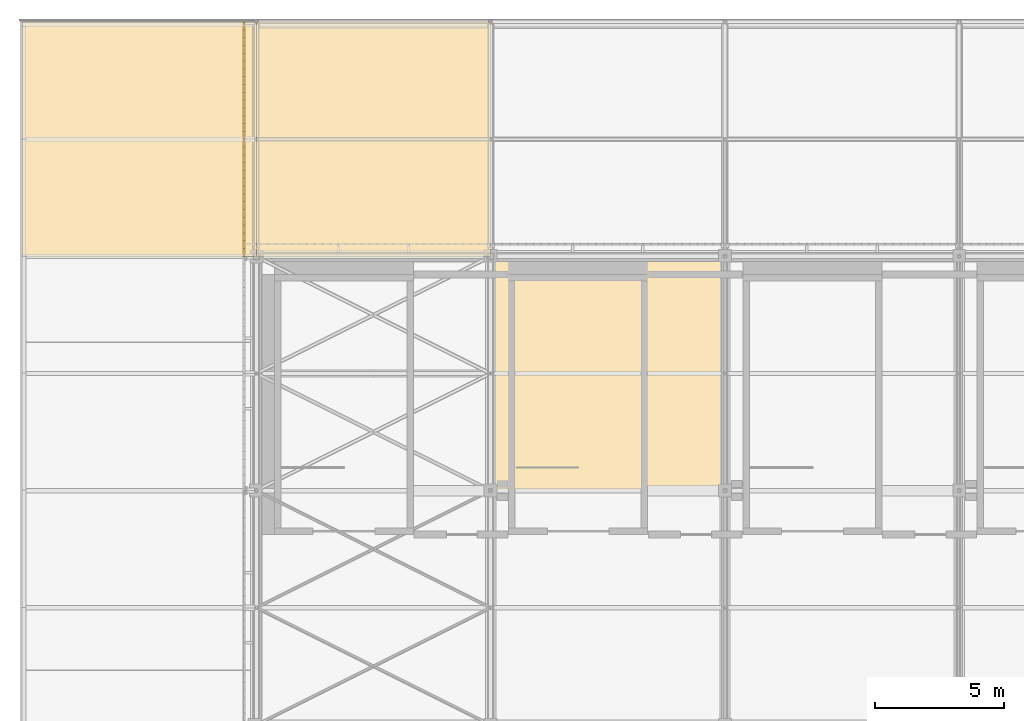
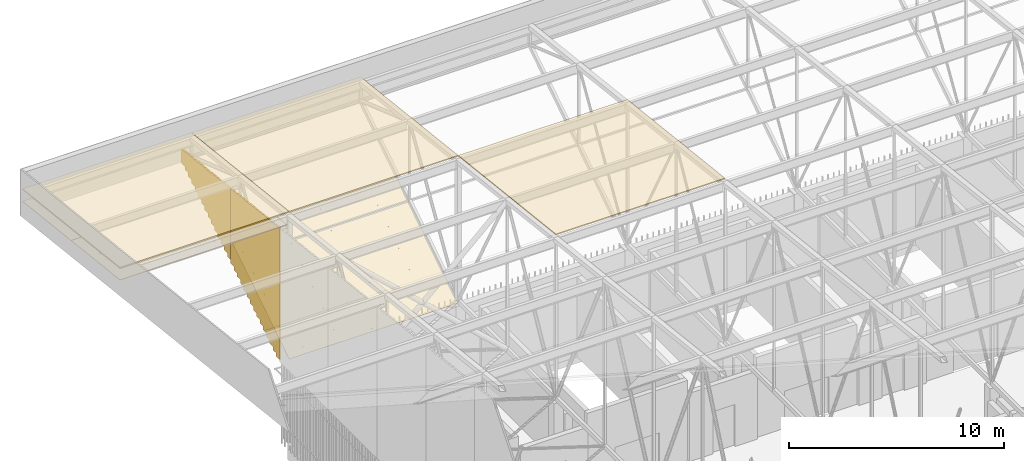
# One storey, part 475 of 500: 6 coverings, 2 shading devices.
"""IFC4 building model written with IfcOpenShell, lengths in metres."""

from ifc_helpers import new_model, si_unit, direction, frame, origin, origin_2d, place, context, subcontext, project, spatial, polyline, rectangle, outline, extrude, material, layer, layer_set, type_object, element, save


model = new_model("IFC4")

# Units and contexts
model_context = context("Model", 3, precision=1e-05, world=origin(), true_north=direction((0.0, 1.0)))
body_context = subcontext(model_context, "Body", "Model", "MODEL_VIEW")
ifc_project = project(units=[si_unit("LENGTHUNIT", "METRE"), si_unit("AREAUNIT", "SQUARE_METRE"), si_unit("VOLUMEUNIT", "CUBIC_METRE"), si_unit("PLANEANGLEUNIT", "RADIAN"), si_unit("MASSUNIT", "GRAM", prefix="KILO")], contexts=[model_context])

# Site, building, storey
site_placement = place(None, origin())
site = spatial("IfcSite", under=ifc_project, at=site_placement, CompositionType="ELEMENT")
building_placement = place(site_placement, origin())
building = spatial("IfcBuilding", under=site, at=building_placement, Name="Shirokan Park Arena", CompositionType="ELEMENT")
storey_placement = place(building_placement, frame((0.0, 0.0, 29.1201171875)))
storey = spatial("IfcBuildingStorey", under=building, at=storey_placement, Name="L06", CompositionType="ELEMENT", Elevation=29.1201171875)

# Coverings
ifc_material_1 = material(Name="Bituminous roofing membrane")
ifc_layer_1 = layer(ifc_material_1, 0.010009765625, Name="Bituminous roofing membrane")
ifc_material_2 = material(Name="Mineral wool insulation")
ifc_layer_2 = layer(ifc_material_2, 0.050048828125, Name="Mineral wool insulation")
ifc_layer_set_1 = layer_set([ifc_layer_1, ifc_layer_2], Name="Bituminous roofing membrane + Mineral wool insulation")
covering_type_1 = type_object("IfcCoveringType", Name="Roofing membrane 60", PredefinedType="ROOFING", material=ifc_layer_set_1)
for number, where, z_axis, x_axis, name in (
    (1, (-9.10009765625, 109.199951171875, 12.9306640625), (0.0, 0.113549598152, 0.993532328996), (1.0, 0.0, 0.0), "Roofing"),
    (2, (0.0, 109.199951171875, 12.9306640625), (0.0, 0.113549598152, 0.993532328996), (1.0, 0.0, 0.0), "Roofing"),
):
    element("IfcCovering", number, at=place(storey_placement, frame(where, z_axis=z_axis, x_axis=x_axis)), inside=storey, type_object=covering_type_1, Name=name, PredefinedType="ROOFING", context=body_context, shape_type="SweptSolid", body=[
        extrude(outline(polyline([(0.0, 0.0), (9.10009765625, 0.0), (9.10009765625, 9.15933723611117), (0.0, 9.15933723611117), (0.0, 0.0)])), origin(), (0.0, 0.0, -1.0), 0.06005859375),
    ])
covering_1_placement = place(storey_placement, frame((9.10009765625, 100.10009765625, 13.970703125), z_axis=(0.0, 0.113552605302, 0.993531985308), x_axis=(1.0, 0.0, 0.0)))
element("IfcCovering", 3, at=covering_1_placement, inside=storey, type_object=covering_type_1, Name="Roofing", PredefinedType="ROOFING", context=body_context, shape_type="SweptSolid", body=[
    extrude(outline(polyline([(0.0, 0.0), (9.099853515625, 0.0), (9.099853515625, 9.159094674549365), (0.0, 9.159094674549365), (0.0, 0.0)])), origin(), (0.0, 0.0, -1.0), 0.06005859375),
])
ifc_material_3 = material(Name="Timber soffit boards (cedar)", Category="wood")
ifc_layer_3 = layer(ifc_material_3, 0.030029296875)
ifc_layer_set_2 = layer_set([ifc_layer_3], Name="Timber soffit boards (cedar) 30 mm")
covering_type_2 = type_object("IfcCoveringType", Name="Timber boarded soffit panel", PredefinedType="CLADDING", material=ifc_layer_set_2)
covering_2_placement = place(storey_placement, origin())
element("IfcCovering", 4, at=covering_2_placement, inside=storey, type_object=covering_type_2, Name="Eave soffit north bay 1", PredefinedType="CLADDING", context=body_context, shape_type="SweptSolid", body=[
    extrude(outline(polyline([(0.0, 0.0), (0.1426933218479331, 0.0), (0.1426933218479331, -9.100000000000001), (0.0, -9.100000000000001), (0.0, 0.0)])), frame((9.10009765625, 109.320068359375, 4.60302734375), z_axis=(0.0, -0.541090493936, 0.840964373426), x_axis=(0.0, -0.840964373426, -0.541090493936)), (0.0, 0.0, -1.0), 0.030029296875),
    extrude(outline(polyline([(0.0, 0.0), (0.1426933218479331, 0.0), (0.1426933218479331, -9.100000000000001), (0.0, -9.100000000000001), (0.0, 0.0)])), frame((0.0, 118.179931640625, 10.3037109375), z_axis=(0.0, -0.541090493936, 0.840964373426), x_axis=(0.0, 0.840964373426, 0.541090493936)), (0.0, 0.0, -1.0), 0.030029296875),
    extrude(outline(polyline([(0.0, 0.0), (0.11999999999999922, 0.0), (0.11999999999999922, -10.53547399675972), (0.0, -10.53547399675972), (0.0, 0.0)])), frame((9.10009765625, 109.320068359375, 4.60302734375), z_axis=(0.0, -0.541084340558, 0.84096833258), x_axis=(-1.0, 0.0, 0.0)), (0.0, 0.0, -1.0), 0.030029296875),
    extrude(outline(polyline([(0.0, 0.0), (0.12, 0.0), (0.12, -10.535473996759718), (0.0, -10.535473996759718), (0.0, 0.0)])), frame((0.0, 118.179931640625, 10.3037109375), z_axis=(0.0, -0.541084340558, 0.84096833258), x_axis=(1.0, 0.0, 0.0)), (0.0, 0.0, -1.0), 0.030029296875),
    extrude(outline(polyline([(0.0, 0.0), (10.535473996759718, 0.0), (10.535473996759718, -0.18333), (0.0, -0.18333), (0.0, 0.0)])), frame((0.30322265625, 118.179931640625, 10.3037109375), z_axis=(0.0, -0.541084340558, 0.84096833258), x_axis=(0.0, -0.84096833258, -0.541084340558)), (0.0, 0.0, -1.0), 0.030029296875),
    extrude(outline(polyline([(0.0, 0.0), (10.535473996759718, 0.0), (10.535473996759718, -0.30334000000000005), (0.0, -0.30334000000000005), (0.0, 0.0)])), frame((0.606689453125, 118.179931640625, 10.3037109375), z_axis=(0.0, -0.541084340558, 0.84096833258), x_axis=(0.0, -0.84096833258, -0.541084340558)), (0.0, 0.0, -1.0), 0.030029296875),
    extrude(outline(polyline([(0.0, 0.0), (10.535473996759718, 0.0), (10.535473996759718, -0.30333), (0.0, -0.30333), (0.0, 0.0)])), frame((0.909912109375, 118.179931640625, 10.3037109375), z_axis=(0.0, -0.541084340558, 0.84096833258), x_axis=(0.0, -0.84096833258, -0.541084340558)), (0.0, 0.0, -1.0), 0.030029296875),
    extrude(outline(polyline([(0.0, 0.0), (10.535473996759718, 0.0), (10.535473996759718, -0.30333), (0.0, -0.30333), (0.0, 0.0)])), frame((1.21337890625, 118.179931640625, 10.3037109375), z_axis=(0.0, -0.541084340558, 0.84096833258), x_axis=(0.0, -0.84096833258, -0.541084340558)), (0.0, 0.0, -1.0), 0.030029296875),
    extrude(outline(polyline([(0.0, 0.0), (10.535473996759718, 0.0), (10.535473996759718, -0.30333999999999994), (0.0, -0.30333999999999994), (0.0, 0.0)])), frame((1.5166015625, 118.179931640625, 10.3037109375), z_axis=(0.0, -0.541084340558, 0.84096833258), x_axis=(0.0, -0.84096833258, -0.541084340558)), (0.0, 0.0, -1.0), 0.030029296875),
    extrude(outline(polyline([(0.0, 0.0), (10.535473996759718, 0.0), (10.535473996759718, -0.3033300000000001), (0.0, -0.3033300000000001), (0.0, 0.0)])), frame((1.820068359375, 118.179931640625, 10.3037109375), z_axis=(0.0, -0.541084340558, 0.84096833258), x_axis=(0.0, -0.84096833258, -0.541084340558)), (0.0, 0.0, -1.0), 0.030029296875),
    extrude(outline(polyline([(0.0, 0.0), (10.535473996759718, 0.0), (10.535473996759718, -0.3033300000000001), (0.0, -0.3033300000000001), (0.0, 0.0)])), frame((2.123291015625, 118.179931640625, 10.3037109375), z_axis=(0.0, -0.541084340558, 0.84096833258), x_axis=(0.0, -0.84096833258, -0.541084340558)), (0.0, 0.0, -1.0), 0.030029296875),
    extrude(outline(polyline([(0.0, 0.0), (10.535473996759718, 0.0), (10.535473996759718, -0.30333999999999994), (0.0, -0.30333999999999994), (0.0, 0.0)])), frame((2.4267578125, 118.179931640625, 10.3037109375), z_axis=(0.0, -0.541084340558, 0.84096833258), x_axis=(0.0, -0.84096833258, -0.541084340558)), (0.0, 0.0, -1.0), 0.030029296875),
    extrude(outline(polyline([(0.0, 0.0), (10.535473996759718, 0.0), (10.535473996759718, -0.3033299999999999), (0.0, -0.3033299999999999), (0.0, 0.0)])), frame((2.72998046875, 118.179931640625, 10.3037109375), z_axis=(0.0, -0.541084340558, 0.84096833258), x_axis=(0.0, -0.84096833258, -0.541084340558)), (0.0, 0.0, -1.0), 0.030029296875),
    extrude(outline(polyline([(0.0, 0.0), (10.535473996759718, 0.0), (10.535473996759718, -0.3033299999999999), (0.0, -0.3033299999999999), (0.0, 0.0)])), frame((3.033447265625, 118.179931640625, 10.3037109375), z_axis=(0.0, -0.541084340558, 0.84096833258), x_axis=(0.0, -0.84096833258, -0.541084340558)), (0.0, 0.0, -1.0), 0.030029296875),
    extrude(outline(polyline([(0.0, 0.0), (10.535473996759718, 0.0), (10.535473996759718, -0.30333999999999994), (0.0, -0.30333999999999994), (0.0, 0.0)])), frame((3.336669921875, 118.179931640625, 10.3037109375), z_axis=(0.0, -0.541084340558, 0.84096833258), x_axis=(0.0, -0.84096833258, -0.541084340558)), (0.0, 0.0, -1.0), 0.030029296875),
    extrude(outline(polyline([(0.0, 0.0), (10.535473996759718, 0.0), (10.535473996759718, -0.3033300000000003), (0.0, -0.3033300000000003), (0.0, 0.0)])), frame((3.639892578125, 118.179931640625, 10.3037109375), z_axis=(0.0, -0.541084340558, 0.84096833258), x_axis=(0.0, -0.84096833258, -0.541084340558)), (0.0, 0.0, -1.0), 0.030029296875),
    extrude(outline(polyline([(0.0, 0.0), (10.535473996759718, 0.0), (10.535473996759718, -0.3033299999999999), (0.0, -0.3033299999999999), (0.0, 0.0)])), frame((3.943359375, 118.179931640625, 10.3037109375), z_axis=(0.0, -0.541084340558, 0.84096833258), x_axis=(0.0, -0.84096833258, -0.541084340558)), (0.0, 0.0, -1.0), 0.030029296875),
    extrude(outline(polyline([(0.0, 0.0), (10.535473996759718, 0.0), (10.535473996759718, -0.30333999999999994), (0.0, -0.30333999999999994), (0.0, 0.0)])), frame((4.24658203125, 118.179931640625, 10.3037109375), z_axis=(0.0, -0.541084340558, 0.84096833258), x_axis=(0.0, -0.84096833258, -0.541084340558)), (0.0, 0.0, -1.0), 0.030029296875),
    extrude(outline(polyline([(0.0, 0.0), (10.535473996759718, 0.0), (10.535473996759718, -0.3033299999999999), (0.0, -0.3033299999999999), (0.0, 0.0)])), frame((4.550048828125, 118.179931640625, 10.3037109375), z_axis=(0.0, -0.541084340558, 0.84096833258), x_axis=(0.0, -0.84096833258, -0.541084340558)), (0.0, 0.0, -1.0), 0.030029296875),
    extrude(outline(polyline([(0.0, 0.0), (10.535473996759718, 0.0), (10.535473996759718, -0.3033299999999999), (0.0, -0.3033299999999999), (0.0, 0.0)])), frame((4.853271484375, 118.179931640625, 10.3037109375), z_axis=(0.0, -0.541084340558, 0.84096833258), x_axis=(0.0, -0.84096833258, -0.541084340558)), (0.0, 0.0, -1.0), 0.030029296875),
    extrude(outline(polyline([(0.0, 0.0), (10.535473996759718, 0.0), (10.535473996759718, -0.3033400000000004), (0.0, -0.3033400000000004), (0.0, 0.0)])), frame((5.15673828125, 118.179931640625, 10.3037109375), z_axis=(0.0, -0.541084340558, 0.84096833258), x_axis=(0.0, -0.84096833258, -0.541084340558)), (0.0, 0.0, -1.0), 0.030029296875),
    extrude(outline(polyline([(0.0, 0.0), (10.535473996759718, 0.0), (10.535473996759718, -0.3033299999999999), (0.0, -0.3033299999999999), (0.0, 0.0)])), frame((5.4599609375, 118.179931640625, 10.3037109375), z_axis=(0.0, -0.541084340558, 0.84096833258), x_axis=(0.0, -0.84096833258, -0.541084340558)), (0.0, 0.0, -1.0), 0.030029296875),
    extrude(outline(polyline([(0.0, 0.0), (10.535473996759718, 0.0), (10.535473996759718, -0.3033299999999999), (0.0, -0.3033299999999999), (0.0, 0.0)])), frame((5.763427734375, 118.179931640625, 10.3037109375), z_axis=(0.0, -0.541084340558, 0.84096833258), x_axis=(0.0, -0.84096833258, -0.541084340558)), (0.0, 0.0, -1.0), 0.030029296875),
    extrude(outline(polyline([(0.0, 0.0), (10.535473996759718, 0.0), (10.535473996759718, -0.3033400000000004), (0.0, -0.3033400000000004), (0.0, 0.0)])), frame((6.066650390625, 118.179931640625, 10.3037109375), z_axis=(0.0, -0.541084340558, 0.84096833258), x_axis=(0.0, -0.84096833258, -0.541084340558)), (0.0, 0.0, -1.0), 0.030029296875),
    extrude(outline(polyline([(0.0, 0.0), (10.535473996759718, 0.0), (10.535473996759718, -0.3033299999999999), (0.0, -0.3033299999999999), (0.0, 0.0)])), frame((6.3701171875, 118.179931640625, 10.3037109375), z_axis=(0.0, -0.541084340558, 0.84096833258), x_axis=(0.0, -0.84096833258, -0.541084340558)), (0.0, 0.0, -1.0), 0.030029296875),
    extrude(outline(polyline([(0.0, 0.0), (10.535473996759718, 0.0), (10.535473996759718, -0.3033299999999999), (0.0, -0.3033299999999999), (0.0, 0.0)])), frame((6.67333984375, 118.179931640625, 10.3037109375), z_axis=(0.0, -0.541084340558, 0.84096833258), x_axis=(0.0, -0.84096833258, -0.541084340558)), (0.0, 0.0, -1.0), 0.030029296875),
    extrude(outline(polyline([(0.0, 0.0), (10.535473996759718, 0.0), (10.535473996759718, -0.3033400000000004), (0.0, -0.3033400000000004), (0.0, 0.0)])), frame((6.9765625, 118.179931640625, 10.3037109375), z_axis=(0.0, -0.541084340558, 0.84096833258), x_axis=(0.0, -0.84096833258, -0.541084340558)), (0.0, 0.0, -1.0), 0.030029296875),
    extrude(outline(polyline([(0.0, 0.0), (10.535473996759718, 0.0), (10.535473996759718, -0.3033299999999999), (0.0, -0.3033299999999999), (0.0, 0.0)])), frame((7.280029296875, 118.179931640625, 10.3037109375), z_axis=(0.0, -0.541084340558, 0.84096833258), x_axis=(0.0, -0.84096833258, -0.541084340558)), (0.0, 0.0, -1.0), 0.030029296875),
    extrude(outline(polyline([(0.0, 0.0), (10.535473996759718, 0.0), (10.535473996759718, -0.3033299999999999), (0.0, -0.3033299999999999), (0.0, 0.0)])), frame((7.583251953125, 118.179931640625, 10.3037109375), z_axis=(0.0, -0.541084340558, 0.84096833258), x_axis=(0.0, -0.84096833258, -0.541084340558)), (0.0, 0.0, -1.0), 0.030029296875),
    extrude(outline(polyline([(0.0, 0.0), (10.535473996759718, 0.0), (10.535473996759718, -0.3033399999999995), (0.0, -0.3033399999999995), (0.0, 0.0)])), frame((7.88671875, 118.179931640625, 10.3037109375), z_axis=(0.0, -0.541084340558, 0.84096833258), x_axis=(0.0, -0.84096833258, -0.541084340558)), (0.0, 0.0, -1.0), 0.030029296875),
    extrude(outline(polyline([(0.0, 0.0), (10.535473996759718, 0.0), (10.535473996759718, -0.3033299999999999), (0.0, -0.3033299999999999), (0.0, 0.0)])), frame((8.18994140625, 118.179931640625, 10.3037109375), z_axis=(0.0, -0.541084340558, 0.84096833258), x_axis=(0.0, -0.84096833258, -0.541084340558)), (0.0, 0.0, -1.0), 0.030029296875),
    extrude(outline(polyline([(0.0, 0.0), (10.535473996759718, 0.0), (10.535473996759718, -0.30333000000000077), (0.0, -0.30333000000000077), (0.0, 0.0)])), frame((8.493408203125, 118.179931640625, 10.3037109375), z_axis=(0.0, -0.541084340558, 0.84096833258), x_axis=(0.0, -0.84096833258, -0.541084340558)), (0.0, 0.0, -1.0), 0.030029296875),
    extrude(outline(polyline([(0.0, 0.0), (10.535473996759718, 0.0), (10.535473996759718, -0.3033400000000004), (0.0, -0.3033400000000004), (0.0, 0.0)])), frame((8.796630859375, 118.179931640625, 10.3037109375), z_axis=(0.0, -0.541084340558, 0.84096833258), x_axis=(0.0, -0.84096833258, -0.541084340558)), (0.0, 0.0, -1.0), 0.030029296875),
    extrude(outline(polyline([(0.0, 0.0), (10.53547399675972, 0.0), (10.53547399675972, -0.18332999999999977), (0.0, -0.18332999999999977), (0.0, 0.0)])), frame((8.97998046875, 118.179931640625, 10.3037109375), z_axis=(0.0, -0.541084340558, 0.84096833258), x_axis=(0.0, -0.84096833258, -0.541084340558)), (0.0, 0.0, -1.0), 0.030029296875),
])
covering_3_placement = place(storey_placement, origin())
element("IfcCovering", 5, at=covering_3_placement, inside=storey, type_object=covering_type_2, Name="Rake soffit west bay 27", PredefinedType="CLADDING", context=body_context, shape_type="SweptSolid", body=[
    extrude(outline(polyline([(0.0, 0.0), (0.11999999999999922, 0.0), (0.11999999999999922, -4.579617887990215), (0.0, -4.579617887990215), (0.0, 0.0)])), frame((-8.97998046875, 109.199951171875, 12.221923828125), z_axis=(0.0, 0.113546591161, 0.993532672656), x_axis=(-1.0, 0.0, 0.0)), (0.0, 0.0, -1.0), 0.030029296875),
    extrude(outline(polyline([(0.0, 0.0), (0.12, 0.0), (0.12, -4.579617887990216), (0.0, -4.579617887990216), (0.0, 0.0)])), frame((-0.2470703125, 113.75, 11.701904296875), z_axis=(0.0, 0.113546591161, 0.993532672656), x_axis=(1.0, 0.0, 0.0)), (0.0, 0.0, -1.0), 0.030029296875),
    extrude(outline(polyline([(0.0, 0.0), (0.12078064455864186, 0.0), (0.12078064455864186, -8.733), (0.0, -8.733), (0.0, 0.0)])), frame((-0.2470703125, 113.75, 11.701904296875), z_axis=(0.0, 0.11351156512, 0.993536675007), x_axis=(0.0, -0.993536675007, 0.11351156512)), (0.0, 0.0, -1.0), 0.030029296875),
    extrude(outline(polyline([(0.0, 0.0), (0.12078064455862775, 0.0), (0.12078064455862775, -8.732999999999999), (0.0, -8.732999999999999), (0.0, 0.0)])), frame((-8.97998046875, 109.199951171875, 12.221923828125), z_axis=(0.0, 0.11351156512, 0.993536675007), x_axis=(0.0, 0.993536675007, -0.11351156512)), (0.0, 0.0, -1.0), 0.030029296875),
    extrude(outline(polyline([(0.0, 0.0), (8.733, 0.0), (8.733, -0.18452428160002296), (0.0, -0.18452428160002296), (0.0, 0.0)])), frame((-8.97998046875, 109.50341796875, 12.187255859375), z_axis=(0.0, 0.113589386818, 0.99352778079), x_axis=(1.0, 0.0, 0.0)), (0.0, 0.0, -1.0), 0.030029296875),
    extrude(outline(polyline([(0.0, 0.0), (8.733, 0.0), (8.733, -0.3053137258624234), (0.0, -0.3053137258624234), (0.0, 0.0)])), frame((-8.97998046875, 109.806640625, 12.152587890625), z_axis=(0.0, 0.113522573877, 0.993535417195), x_axis=(1.0, 0.0, 0.0)), (0.0, 0.0, -1.0), 0.030029296875),
    extrude(outline(polyline([(0.0, 0.0), (8.733, 0.0), (8.733, -0.30530492593471437), (0.0, -0.30530492593471437), (0.0, 0.0)])), frame((-8.97998046875, 110.110107421875, 12.117919921875), z_axis=(0.0, 0.113558600124, 0.99353130013), x_axis=(1.0, 0.0, 0.0)), (0.0, 0.0, -1.0), 0.030029296875),
    extrude(outline(polyline([(0.0, 0.0), (8.733, 0.0), (8.733, -0.30530492593471437), (0.0, -0.30530492593471437), (0.0, 0.0)])), frame((-8.97998046875, 110.413330078125, 12.083251953125), z_axis=(0.0, 0.113558600124, 0.99353130013), x_axis=(1.0, 0.0, 0.0)), (0.0, 0.0, -1.0), 0.030029296875),
    extrude(outline(polyline([(0.0, 0.0), (8.733, 0.0), (8.733, -0.30531372586242334), (0.0, -0.30531372586242334), (0.0, 0.0)])), frame((-8.97998046875, 110.716552734375, 12.048583984375), z_axis=(0.0, 0.113522573877, 0.993535417195), x_axis=(1.0, 0.0, 0.0)), (0.0, 0.0, -1.0), 0.030029296875),
    extrude(outline(polyline([(0.0, 0.0), (8.733, 0.0), (8.733, -0.30530492593471437), (0.0, -0.30530492593471437), (0.0, 0.0)])), frame((-8.97998046875, 111.02001953125, 12.013916015625), z_axis=(0.0, 0.113558600124, 0.99353130013), x_axis=(1.0, 0.0, 0.0)), (0.0, 0.0, -1.0), 0.030029296875),
    extrude(outline(polyline([(0.0, 0.0), (8.733, 0.0), (8.733, -0.30530492593471437), (0.0, -0.30530492593471437), (0.0, 0.0)])), frame((-8.97998046875, 111.3232421875, 11.979248046875), z_axis=(0.0, 0.113558600124, 0.99353130013), x_axis=(1.0, 0.0, 0.0)), (0.0, 0.0, -1.0), 0.030029296875),
    extrude(outline(polyline([(0.0, 0.0), (8.733, 0.0), (8.733, -0.3053137258624375), (0.0, -0.3053137258624375), (0.0, 0.0)])), frame((-8.97998046875, 111.626708984375, 11.944580078125), z_axis=(0.0, 0.113522573877, 0.993535417195), x_axis=(1.0, 0.0, 0.0)), (0.0, 0.0, -1.0), 0.030029296875),
    extrude(outline(polyline([(0.0, 0.0), (8.733, 0.0), (8.733, -0.30530492593471437), (0.0, -0.30530492593471437), (0.0, 0.0)])), frame((-8.97998046875, 111.929931640625, 11.909912109375), z_axis=(0.0, 0.113558600124, 0.99353130013), x_axis=(1.0, 0.0, 0.0)), (0.0, 0.0, -1.0), 0.030029296875),
    extrude(outline(polyline([(0.0, 0.0), (8.733, 0.0), (8.733, -0.30530492593470027), (0.0, -0.30530492593470027), (0.0, 0.0)])), frame((-8.97998046875, 112.2333984375, 11.875244140625), z_axis=(0.0, 0.113558600124, 0.99353130013), x_axis=(1.0, 0.0, 0.0)), (0.0, 0.0, -1.0), 0.030029296875),
    extrude(outline(polyline([(0.0, 0.0), (8.733, 0.0), (8.733, -0.3053137258624375), (0.0, -0.3053137258624375), (0.0, 0.0)])), frame((-8.97998046875, 112.53662109375, 11.840576171875), z_axis=(0.0, 0.113522573877, 0.993535417195), x_axis=(1.0, 0.0, 0.0)), (0.0, 0.0, -1.0), 0.030029296875),
    extrude(outline(polyline([(0.0, 0.0), (8.733, 0.0), (8.733, -0.30530492593471437), (0.0, -0.30530492593471437), (0.0, 0.0)])), frame((-8.97998046875, 112.840087890625, 11.805908203125), z_axis=(0.0, 0.113558600124, 0.99353130013), x_axis=(1.0, 0.0, 0.0)), (0.0, 0.0, -1.0), 0.030029296875),
    extrude(outline(polyline([(0.0, 0.0), (8.733, 0.0), (8.733, -0.30530492593471437), (0.0, -0.30530492593471437), (0.0, 0.0)])), frame((-8.97998046875, 113.143310546875, 11.771240234375), z_axis=(0.0, 0.113558600124, 0.99353130013), x_axis=(1.0, 0.0, 0.0)), (0.0, 0.0, -1.0), 0.030029296875),
    extrude(outline(polyline([(0.0, 0.0), (8.733, 0.0), (8.733, -0.30531372586242334), (0.0, -0.30531372586242334), (0.0, 0.0)])), frame((-8.97998046875, 113.44677734375, 11.736572265625), z_axis=(0.0, 0.113522573877, 0.993535417195), x_axis=(1.0, 0.0, 0.0)), (0.0, 0.0, -1.0), 0.030029296875),
    extrude(outline(polyline([(0.0, 0.0), (8.733, 0.0), (8.733, -0.18452428160000883), (0.0, -0.18452428160000883), (0.0, 0.0)])), frame((-8.97998046875, 113.6298828125, 11.715576171875), z_axis=(0.0, 0.113589386818, 0.99352778079), x_axis=(1.0, 0.0, 0.0)), (0.0, 0.0, -1.0), 0.030029296875),
])
covering_4_placement = place(storey_placement, origin())
element("IfcCovering", 6, at=covering_4_placement, inside=storey, type_object=covering_type_2, Name="Rake soffit west bay 28", PredefinedType="CLADDING", context=body_context, shape_type="SweptSolid", body=[
    extrude(outline(polyline([(0.0, 0.0), (0.11999999999999922, 0.0), (0.11999999999999922, -4.579617887990217), (0.0, -4.579617887990217), (0.0, 0.0)])), frame((-8.97998046875, 113.75, 11.701904296875), z_axis=(0.0, 0.113546591161, 0.993532672656), x_axis=(-1.0, 0.0, 0.0)), (0.0, 0.0, -1.0), 0.030029296875),
    extrude(outline(polyline([(0.0, 0.0), (0.12, 0.0), (0.12, -4.579617887990218), (0.0, -4.579617887990218), (0.0, 0.0)])), frame((-0.2470703125, 118.300048828125, 11.181884765625), z_axis=(0.0, 0.113546591161, 0.993532672656), x_axis=(1.0, 0.0, 0.0)), (0.0, 0.0, -1.0), 0.030029296875),
    extrude(outline(polyline([(0.0, 0.0), (0.12078064455862855, 0.0), (0.12078064455862855, -8.733), (0.0, -8.733), (0.0, 0.0)])), frame((-0.2470703125, 118.300048828125, 11.181884765625), z_axis=(0.0, 0.11351156512, 0.993536675007), x_axis=(0.0, -0.993536675007, 0.11351156512)), (0.0, 0.0, -1.0), 0.030029296875),
    extrude(outline(polyline([(0.0, 0.0), (0.12078064455864268, 0.0), (0.12078064455864268, -8.733000000000002), (0.0, -8.733000000000002), (0.0, 0.0)])), frame((-8.97998046875, 113.75, 11.701904296875), z_axis=(0.0, 0.11351156512, 0.993536675007), x_axis=(0.0, 0.993536675007, -0.11351156512)), (0.0, 0.0, -1.0), 0.030029296875),
    extrude(outline(polyline([(0.0, 0.0), (8.733, 0.0), (8.733, -0.18452428160000883), (0.0, -0.18452428160000883), (0.0, 0.0)])), frame((-8.97998046875, 114.05322265625, 11.667236328125), z_axis=(0.0, 0.113589386818, 0.99352778079), x_axis=(1.0, 0.0, 0.0)), (0.0, 0.0, -1.0), 0.030029296875),
    extrude(outline(polyline([(0.0, 0.0), (8.733, 0.0), (8.733, -0.30531372586242256), (0.0, -0.30531372586242256), (0.0, 0.0)])), frame((-8.97998046875, 114.356689453125, 11.632568359375), z_axis=(0.0, 0.113522573877, 0.993535417195), x_axis=(1.0, 0.0, 0.0)), (0.0, 0.0, -1.0), 0.030029296875),
    extrude(outline(polyline([(0.0, 0.0), (8.733, 0.0), (8.733, -0.30530492593471437), (0.0, -0.30530492593471437), (0.0, 0.0)])), frame((-8.97998046875, 114.659912109375, 11.597900390625), z_axis=(0.0, 0.113558600124, 0.99353130013), x_axis=(1.0, 0.0, 0.0)), (0.0, 0.0, -1.0), 0.030029296875),
    extrude(outline(polyline([(0.0, 0.0), (8.733, 0.0), (8.733, -0.3053049259347152), (0.0, -0.3053049259347152), (0.0, 0.0)])), frame((-8.97998046875, 114.96337890625, 11.563232421875), z_axis=(0.0, 0.113558600124, 0.99353130013), x_axis=(1.0, 0.0, 0.0)), (0.0, 0.0, -1.0), 0.030029296875),
    extrude(outline(polyline([(0.0, 0.0), (8.733, 0.0), (8.733, -0.30531372586243666), (0.0, -0.30531372586243666), (0.0, 0.0)])), frame((-8.97998046875, 115.2666015625, 11.528564453125), z_axis=(0.0, 0.113522573877, 0.993535417195), x_axis=(1.0, 0.0, 0.0)), (0.0, 0.0, -1.0), 0.030029296875),
    extrude(outline(polyline([(0.0, 0.0), (8.733, 0.0), (8.733, -0.30530492593470104), (0.0, -0.30530492593470104), (0.0, 0.0)])), frame((-8.97998046875, 115.570068359375, 11.493896484375), z_axis=(0.0, 0.113558600124, 0.99353130013), x_axis=(1.0, 0.0, 0.0)), (0.0, 0.0, -1.0), 0.030029296875),
    extrude(outline(polyline([(0.0, 0.0), (8.733, 0.0), (8.733, -0.30530492593471437), (0.0, -0.30530492593471437), (0.0, 0.0)])), frame((-8.97998046875, 115.873291015625, 11.459228515625), z_axis=(0.0, 0.113558600124, 0.99353130013), x_axis=(1.0, 0.0, 0.0)), (0.0, 0.0, -1.0), 0.030029296875),
    extrude(outline(polyline([(0.0, 0.0), (8.733, 0.0), (8.733, -0.3053137258624367), (0.0, -0.3053137258624367), (0.0, 0.0)])), frame((-8.97998046875, 116.1767578125, 11.424560546875), z_axis=(0.0, 0.113522573877, 0.993535417195), x_axis=(1.0, 0.0, 0.0)), (0.0, 0.0, -1.0), 0.030029296875),
    extrude(outline(polyline([(0.0, 0.0), (8.733, 0.0), (8.733, -0.30530492593471514), (0.0, -0.30530492593471514), (0.0, 0.0)])), frame((-8.97998046875, 116.47998046875, 11.389892578125), z_axis=(0.0, 0.113558600124, 0.99353130013), x_axis=(1.0, 0.0, 0.0)), (0.0, 0.0, -1.0), 0.030029296875),
    extrude(outline(polyline([(0.0, 0.0), (8.733, 0.0), (8.733, -0.30530492593471437), (0.0, -0.30530492593471437), (0.0, 0.0)])), frame((-8.97998046875, 116.783447265625, 11.355224609375), z_axis=(0.0, 0.113558600124, 0.99353130013), x_axis=(1.0, 0.0, 0.0)), (0.0, 0.0, -1.0), 0.030029296875),
    extrude(outline(polyline([(0.0, 0.0), (8.733, 0.0), (8.733, -0.30531372586242334), (0.0, -0.30531372586242334), (0.0, 0.0)])), frame((-8.97998046875, 117.086669921875, 11.320556640625), z_axis=(0.0, 0.113522573877, 0.993535417195), x_axis=(1.0, 0.0, 0.0)), (0.0, 0.0, -1.0), 0.030029296875),
    extrude(outline(polyline([(0.0, 0.0), (8.733, 0.0), (8.733, -0.30530492593471437), (0.0, -0.30530492593471437), (0.0, 0.0)])), frame((-8.97998046875, 117.389892578125, 11.285888671875), z_axis=(0.0, 0.113558600124, 0.99353130013), x_axis=(1.0, 0.0, 0.0)), (0.0, 0.0, -1.0), 0.030029296875),
    extrude(outline(polyline([(0.0, 0.0), (8.733, 0.0), (8.733, -0.30530492593471437), (0.0, -0.30530492593471437), (0.0, 0.0)])), frame((-8.97998046875, 117.693359375, 11.251220703125), z_axis=(0.0, 0.113558600124, 0.99353130013), x_axis=(1.0, 0.0, 0.0)), (0.0, 0.0, -1.0), 0.030029296875),
    extrude(outline(polyline([(0.0, 0.0), (8.733, 0.0), (8.733, -0.30531372586242334), (0.0, -0.30531372586242334), (0.0, 0.0)])), frame((-8.97998046875, 117.99658203125, 11.216552734375), z_axis=(0.0, 0.113522573877, 0.993535417195), x_axis=(1.0, 0.0, 0.0)), (0.0, 0.0, -1.0), 0.030029296875),
    extrude(outline(polyline([(0.0, 0.0), (8.733, 0.0), (8.733, -0.18452428160002216), (0.0, -0.18452428160002216), (0.0, 0.0)])), frame((-8.97998046875, 118.179931640625, 11.195556640625), z_axis=(0.0, 0.113589386818, 0.99352778079), x_axis=(1.0, 0.0, 0.0)), (0.0, 0.0, -1.0), 0.030029296875),
])

# Shading devices
ifc_material_4 = material(Name="Timber louvre veil (cedar)", Category="wood")
shading_device_type = type_object("IfcShadingDeviceType", Name="Timber louvre veil panel, gable band, closed", PredefinedType="JALOUSIE", material=ifc_material_4)
shading_device_1_placement = place(storey_placement, origin())
element("IfcShadingDevice", 7, at=shading_device_1_placement, inside=storey, type_object=shading_device_type, Name="Timber louvre veil gable band west bay 27", PredefinedType="JALOUSIE", context=body_context, shape_type="SweptSolid", body=[
    extrude(outline(polyline([(109.199951171875, 12.1572265625), (109.199951171875, 4.67333984375), (109.50341796875, 4.67333984375), (109.50341796875, 4.86865234375), (109.806640625, 4.86865234375), (109.806640625, 5.063720703125), (110.110107421875, 5.063720703125), (110.110107421875, 5.259033203125), (110.413330078125, 5.259033203125), (110.413330078125, 5.4541015625), (110.716552734375, 5.4541015625), (110.716552734375, 5.649169921875), (111.02001953125, 5.649169921875), (111.02001953125, 5.844482421875), (111.3232421875, 5.844482421875), (111.3232421875, 6.03955078125), (111.626708984375, 6.03955078125), (111.626708984375, 6.23486328125), (111.929931640625, 6.23486328125), (111.929931640625, 6.429931640625), (112.2333984375, 6.429931640625), (112.2333984375, 6.625), (112.53662109375, 6.625), (112.53662109375, 6.8203125), (112.840087890625, 6.8203125), (112.840087890625, 7.015380859375), (113.143310546875, 7.015380859375), (113.143310546875, 7.210693359375), (113.44677734375, 7.210693359375), (113.44677734375, 7.40576171875), (113.75, 7.40576171875), (113.75, 11.671875), (113.44677734375, 11.671875), (113.44677734375, 11.70654296875), (113.143310546875, 11.70654296875), (113.143310546875, 11.7412109375), (112.840087890625, 11.7412109375), (112.840087890625, 11.77587890625), (112.53662109375, 11.77587890625), (112.53662109375, 11.810546875), (112.2333984375, 11.810546875), (112.2333984375, 11.84521484375), (111.929931640625, 11.84521484375), (111.929931640625, 11.8798828125), (111.626708984375, 11.8798828125), (111.626708984375, 11.91455078125), (111.3232421875, 11.91455078125), (111.3232421875, 11.94921875), (111.02001953125, 11.94921875), (111.02001953125, 11.98388671875), (110.716552734375, 11.98388671875), (110.716552734375, 12.0185546875), (110.413330078125, 12.0185546875), (110.413330078125, 12.05322265625), (110.110107421875, 12.05322265625), (110.110107421875, 12.087890625), (109.806640625, 12.087890625), (109.806640625, 12.12255859375), (109.50341796875, 12.12255859375), (109.50341796875, 12.1572265625), (109.199951171875, 12.1572265625)])), frame((-0.525146484375, 0.0, 0.0), z_axis=(1.0, 0.0, 0.0), x_axis=(0.0, 1.0, 0.0)), (0.0, 0.0, 1.0), 0.080078125),
    extrude(rectangle(XDim=0.050048828125, YDim=4.550048828125, at=origin_2d()), frame((-0.469970703125, 111.47509765625, 7.815673828125), z_axis=(0.0, 0.0, 1.0), x_axis=(1.0, 0.0, 0.0)), (0.0, 0.0, 1.0), 0.080078125),
    extrude(rectangle(XDim=0.050048828125, YDim=4.550048828125, at=origin_2d()), frame((-0.469970703125, 111.47509765625, 9.498779296875), z_axis=(0.0, 0.0, 1.0), x_axis=(1.0, 0.0, 0.0)), (0.0, 0.0, 1.0), 0.080078125),
    extrude(rectangle(XDim=0.050048828125, YDim=4.550048828125, at=origin_2d()), frame((-0.469970703125, 111.47509765625, 11.53173828125), z_axis=(0.0, 0.0, 1.0), x_axis=(1.0, 0.0, 0.0)), (0.0, 0.0, 1.0), 0.080078125),
])
shading_device_2_placement = place(storey_placement, origin())
element("IfcShadingDevice", 8, at=shading_device_2_placement, inside=storey, type_object=shading_device_type, Name="Timber louvre veil gable band west bay 28", PredefinedType="JALOUSIE", context=body_context, shape_type="SweptSolid", body=[
    extrude(outline(polyline([(113.75, 11.63720703125), (113.75, 7.600830078125), (114.05322265625, 7.600830078125), (114.05322265625, 7.796142578125), (114.356689453125, 7.796142578125), (114.356689453125, 7.9912109375), (114.659912109375, 7.9912109375), (114.659912109375, 8.1865234375), (114.96337890625, 8.1865234375), (114.96337890625, 8.381591796875), (115.2666015625, 8.381591796875), (115.2666015625, 8.576904296875), (115.570068359375, 8.576904296875), (115.570068359375, 8.77197265625), (115.873291015625, 8.77197265625), (115.873291015625, 8.967041015625), (116.1767578125, 8.967041015625), (116.1767578125, 9.162353515625), (116.47998046875, 9.162353515625), (116.47998046875, 9.357421875), (116.783447265625, 9.357421875), (116.783447265625, 9.552734375), (117.086669921875, 9.552734375), (117.086669921875, 9.747802734375), (117.389892578125, 9.747802734375), (117.389892578125, 9.94287109375), (117.693359375, 9.94287109375), (117.693359375, 10.13818359375), (117.99658203125, 10.13818359375), (117.99658203125, 10.333251953125), (118.300048828125, 10.333251953125), (118.300048828125, 11.15185546875), (117.99658203125, 11.15185546875), (117.99658203125, 11.1865234375), (117.693359375, 11.1865234375), (117.693359375, 11.22119140625), (117.389892578125, 11.22119140625), (117.389892578125, 11.255859375), (117.086669921875, 11.255859375), (117.086669921875, 11.29052734375), (116.783447265625, 11.29052734375), (116.783447265625, 11.3251953125), (116.47998046875, 11.3251953125), (116.47998046875, 11.35986328125), (116.1767578125, 11.35986328125), (116.1767578125, 11.39453125), (115.873291015625, 11.39453125), (115.873291015625, 11.42919921875), (115.570068359375, 11.42919921875), (115.570068359375, 11.4638671875), (115.2666015625, 11.4638671875), (115.2666015625, 11.49853515625), (114.96337890625, 11.49853515625), (114.96337890625, 11.533203125), (114.659912109375, 11.533203125), (114.659912109375, 11.56787109375), (114.356689453125, 11.56787109375), (114.356689453125, 11.6025390625), (114.05322265625, 11.6025390625), (114.05322265625, 11.63720703125), (113.75, 11.63720703125)])), frame((-0.525146484375, 0.0, 0.0), z_axis=(1.0, 0.0, 0.0), x_axis=(0.0, 1.0, 0.0)), (0.0, 0.0, 1.0), 0.080078125),
    extrude(rectangle(XDim=0.050048828125, YDim=4.550048828125, at=origin_2d()), frame((-0.469970703125, 116.02490234375, 10.70263671875), z_axis=(0.0, 0.0, 1.0), x_axis=(1.0, 0.0, 0.0)), (0.0, 0.0, 1.0), 0.080078125),
])

save(model, "model.ifc")
